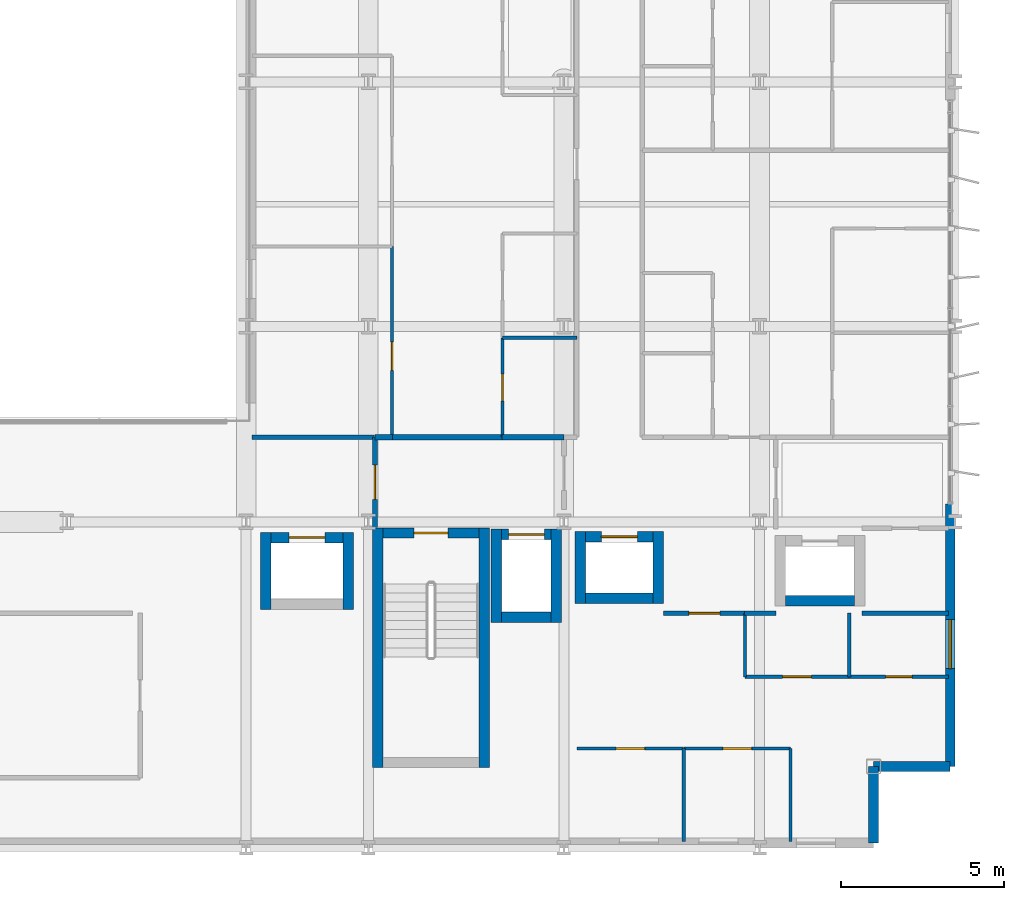
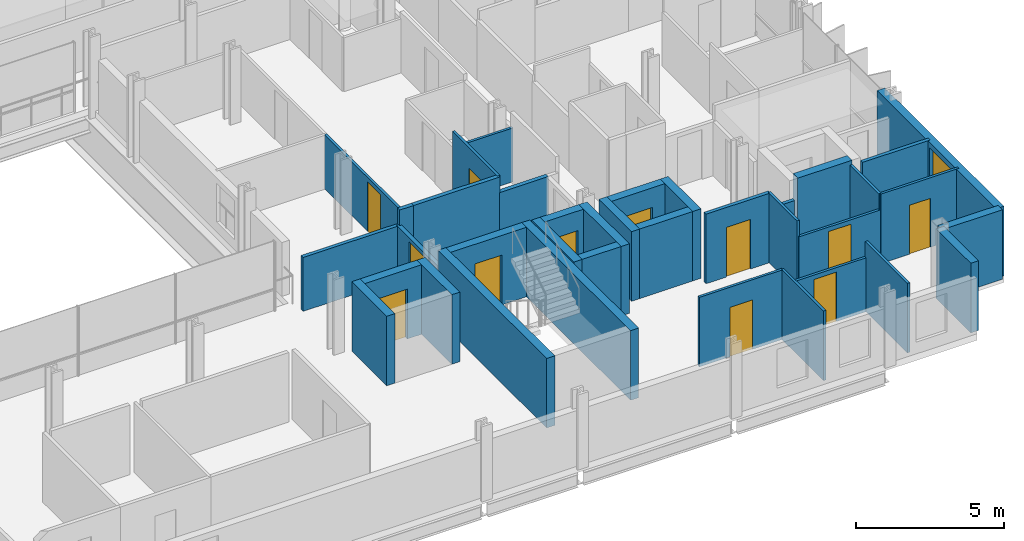
# One storey, part 30 of 38: 37 walls, 12 doors, 1 window, 13 openings.
"""IFC4 building model written with IfcOpenShell, lengths in metres."""

from ifc_helpers import new_model, si_unit, direction, frame, frame_2d, origin, place, context, subcontext, project, spatial, rectangle, extrude, material, layer, layer_set, type_object, element, fill, save


model = new_model("IFC4")

# Units and contexts
model_context = context("Model", 3, precision=1e-05, world=origin(), true_north=direction((0.0, 1.0)))
body_context = subcontext(model_context, "Body", "Model", "MODEL_VIEW")
ifc_project = project(units=[si_unit("LENGTHUNIT", "METRE"), si_unit("AREAUNIT", "SQUARE_METRE"), si_unit("VOLUMEUNIT", "CUBIC_METRE"), si_unit("PLANEANGLEUNIT", "RADIAN"), si_unit("MASSUNIT", "GRAM", prefix="KILO")], contexts=[model_context])

# Site, building, storey
site_placement = place(None, origin())
site = spatial("IfcSite", under=ifc_project, at=site_placement, CompositionType="ELEMENT")
building_placement = place(site_placement, origin())
building = spatial("IfcBuilding", under=site, at=building_placement, Name="Brevholm Reach", CompositionType="ELEMENT")
storey_placement = place(building_placement, frame((0.0, 0.0, 28.0)))
storey = spatial("IfcBuildingStorey", under=building, at=storey_placement, Name="L06", CompositionType="ELEMENT", Elevation=28.0)

# Walls
ifc_material_1 = material(Name="Concrete C60/75", Category="concrete")
ifc_layer_1 = layer(ifc_material_1, 0.320068359375)
ifc_layer_set_1 = layer_set([ifc_layer_1], Name="Concrete C60/75")
wall_type_1 = type_object("IfcWallType", Name="WAL-COR-320", PredefinedType="SHEAR", material=ifc_layer_set_1)
for number, where, z_axis, x_axis, name in (
    (1, (42.2900390625, 2.4599609375, 0.0), (0.0, 0.0, 1.0), (0.0, 1.0, 0.0), "L06 Escape Stair ST-2 Core Wall W"),
    (2, (45.56005859375, 2.4599609375, 0.0), (0.0, 0.0, 1.0), (0.0, 1.0, 0.0), "L06 Escape Stair ST-2 Core Wall E"),
):
    element("IfcWall", number, at=place(storey_placement, frame(where, z_axis=z_axis, x_axis=x_axis)), inside=storey, type_object=wall_type_1, Name=name, PredefinedType="SHEAR", context=body_context, shape_type="SweptSolid", body=[
        extrude(rectangle(XDim=7.360107421875, YDim=0.320068359375, at=frame_2d((3.68017578125, 0.0))), origin(), (0.0, 0.0, 1.0), 2.8701171875),
    ])

# Wall, opening, door
wall_1_placement = place(storey_placement, frame((45.39990234375, 9.659912109375, 0.0), z_axis=(0.0, 0.0, 1.0), x_axis=(-1.0, 0.0, 0.0)))
wall_1 = element("IfcWall", 3, at=wall_1_placement, inside=storey, type_object=wall_type_1, Name="L06 Escape Stair ST-2 Core Wall N", PredefinedType="SHEAR", context=body_context, shape_type="SweptSolid", body=[
    extrude(rectangle(XDim=2.949951171875, YDim=0.320068359375, at=frame_2d((1.47509765625, 0.0))), origin(), (0.0, 0.0, 1.0), 2.8701171875),
])
opening_1_placement = place(wall_1_placement, frame((0.949951171875, 0.0, 0.0)))
opening_1 = element("IfcOpeningElement", 4, at=opening_1_placement, cuts=wall_1, Name="Opening SD-ST-2", PredefinedType="OPENING", context=body_context, shape_type="SweptSolid", body=[
    extrude(rectangle(XDim=1.050048828125, YDim=2.06005859375, at=frame_2d((0.52490234375, 1.030029296875))), frame((0.0, 0.169921875, 0.0), z_axis=(0.0, -1.0, 0.0), x_axis=(1.0, 0.0, 0.0)), (0.0, 0.0, 1.0), 0.340087890625),
])
ifc_material_2 = material(Name="Hardwood-Lipped Steel-Core Fire and Smoke Door", Category="steel")
door_type_1 = type_object("IfcDoorType", Name="DOR-INT-FD60S", OperationType="NOTDEFINED", PredefinedType="DOOR", material=ifc_material_2)
door_1_placement = place(opening_1_placement, origin())
door_1 = element("IfcDoor", 5, at=door_1_placement, inside=storey, type_object=door_type_1, Name="L06 Protected Stair ST-2 Lobby Door", OperationType="SINGLE_SWING_LEFT", OverallHeight=2.06005859375, OverallWidth=1.050048828125, PredefinedType="DOOR", context=body_context, shape_type="SweptSolid", body=[
    extrude(rectangle(XDim=1.050048828125, YDim=2.06005859375, at=frame_2d((0.52490234375, 1.030029296875))), frame((0.0, 0.02490234375, 0.0), z_axis=(0.0, -1.0, 0.0), x_axis=(1.0, 0.0, 0.0)), (0.0, 0.0, 1.0), 0.050048828125),
])
fill(opening_1, door_1)

# Walls
for number, where, z_axis, x_axis, name in (
    (6, (45.929931640625, 6.919921875, 0.0), (0.0, 0.0, 1.0), (0.0, 1.0, 0.0), "L06 Lift FFL-2 Shaft Wall W"),
    (7, (47.77001953125, 6.919921875, 0.0), (0.0, 0.0, 1.0), (0.0, 1.0, 0.0), "L06 Lift FFL-2 Shaft Wall E"),
):
    element("IfcWall", number, at=place(storey_placement, frame(where, z_axis=z_axis, x_axis=x_axis)), inside=storey, type_object=wall_type_1, Name=name, PredefinedType="SHEAR", context=body_context, shape_type="SweptSolid", body=[
        extrude(rectangle(XDim=2.860107421875, YDim=0.320068359375, at=frame_2d((1.43017578125, 0.0))), origin(), (0.0, 0.0, 1.0), 2.8701171875),
    ])
wall_2_placement = place(storey_placement, frame((46.090087890625, 7.080078125, 0.0), z_axis=(0.0, 0.0, 1.0), x_axis=(1.0, 0.0, 0.0)))
element("IfcWall", 8, at=wall_2_placement, inside=storey, type_object=wall_type_1, Name="L06 Lift FFL-2 Shaft Wall S", PredefinedType="SHEAR", context=body_context, shape_type="SweptSolid", body=[
    extrude(rectangle(XDim=1.52001953125, YDim=0.320068359375, at=frame_2d((0.760009765625, 0.0))), origin(), (0.0, 0.0, 1.0), 2.8701171875),
])

# Wall, opening, door
wall_3_placement = place(storey_placement, frame((46.090087890625, 9.6201171875, 0.0), z_axis=(0.0, 0.0, 1.0), x_axis=(1.0, 0.0, 0.0)))
wall_3 = element("IfcWall", 9, at=wall_3_placement, inside=storey, type_object=wall_type_1, Name="L06 Lift FFL-2 Shaft Wall N", PredefinedType="SHEAR", context=body_context, shape_type="SweptSolid", body=[
    extrude(rectangle(XDim=1.52001953125, YDim=0.320068359375, at=frame_2d((0.760009765625, 0.0))), origin(), (0.0, 0.0, 1.0), 2.8701171875),
])
opening_2_placement = place(wall_3_placement, frame((0.2099609375, 0.0, 0.0)))
opening_2 = element("IfcOpeningElement", 10, at=opening_2_placement, cuts=wall_3, Name="Opening LD-FFL-2", PredefinedType="OPENING", context=body_context, shape_type="SweptSolid", body=[
    extrude(rectangle(XDim=1.10009765625, YDim=2.06005859375, at=frame_2d((0.550048828125, 1.030029296875))), frame((0.0, 0.169921875, 0.0), z_axis=(0.0, -1.0, 0.0), x_axis=(1.0, 0.0, 0.0)), (0.0, 0.0, 1.0), 0.340087890625),
])
ifc_material_3 = material(Name="Brushed Stainless Steel Fire-Rated Sliding Lift Door", Category="steel")
door_type_2 = type_object("IfcDoorType", Name="DOR-LFT-1100", OperationType="NOTDEFINED", PredefinedType="DOOR", material=ifc_material_3)
door_2_placement = place(opening_2_placement, origin())
door_2 = element("IfcDoor", 11, at=door_2_placement, inside=storey, type_object=door_type_2, Name="L06 Lift FFL-2 Sliding Landing Door", OperationType="SLIDING_TO_LEFT", OverallHeight=2.06005859375, OverallWidth=1.10009765625, PredefinedType="DOOR", context=body_context, shape_type="SweptSolid", body=[
    extrude(rectangle(XDim=1.10009765625, YDim=2.06005859375, at=frame_2d((0.550048828125, 1.030029296875))), frame((0.0, 0.02490234375, 0.0), z_axis=(0.0, -1.0, 0.0), x_axis=(1.0, 0.0, 0.0)), (0.0, 0.0, 1.0), 0.050048828125),
])
fill(opening_2, door_2)

# Walls
for number, where, z_axis, x_axis, name in (
    (12, (48.5048828125, 7.4951171875, 0.0), (0.0, 0.0, 1.0), (0.0, 1.0, 0.0), "L06 Lift PL-L1 Shaft Wall W"),
    (13, (50.89501953125, 7.4951171875, 0.0), (0.0, 0.0, 1.0), (0.0, 1.0, 0.0), "L06 Lift PL-L1 Shaft Wall E"),
):
    element("IfcWall", number, at=place(storey_placement, frame(where, z_axis=z_axis, x_axis=x_axis)), inside=storey, type_object=wall_type_1, Name=name, PredefinedType="SHEAR", context=body_context, shape_type="SweptSolid", body=[
        extrude(rectangle(XDim=2.2099609375, YDim=0.320068359375, at=frame_2d((1.10498046875, 0.0))), origin(), (0.0, 0.0, 1.0), 2.8701171875),
    ])
wall_4_placement = place(storey_placement, frame((48.6650390625, 7.655029296875, 0.0), z_axis=(0.0, 0.0, 1.0), x_axis=(1.0, 0.0, 0.0)))
element("IfcWall", 14, at=wall_4_placement, inside=storey, type_object=wall_type_1, Name="L06 Lift PL-L1 Shaft Wall S", PredefinedType="SHEAR", context=body_context, shape_type="SweptSolid", body=[
    extrude(rectangle(XDim=2.070068359375, YDim=0.320068359375, at=frame_2d((1.03515625, 0.0))), origin(), (0.0, 0.0, 1.0), 2.8701171875),
])

# Wall, opening, door
wall_5_placement = place(storey_placement, frame((48.6650390625, 9.544921875, 0.0), z_axis=(0.0, 0.0, 1.0), x_axis=(1.0, 0.0, 0.0)))
wall_5 = element("IfcWall", 15, at=wall_5_placement, inside=storey, type_object=wall_type_1, Name="L06 Lift PL-L1 Shaft Wall N", PredefinedType="SHEAR", context=body_context, shape_type="SweptSolid", body=[
    extrude(rectangle(XDim=2.070068359375, YDim=0.320068359375, at=frame_2d((1.03515625, 0.0))), origin(), (0.0, 0.0, 1.0), 2.8701171875),
])
opening_3_placement = place(wall_5_placement, frame((0.485107421875, 0.0, 0.0)))
opening_3 = element("IfcOpeningElement", 16, at=opening_3_placement, cuts=wall_5, Name="Opening LD-PL-L1", PredefinedType="OPENING", context=body_context, shape_type="SweptSolid", body=[
    extrude(rectangle(XDim=1.10009765625, YDim=2.06005859375, at=frame_2d((0.550048828125, 1.030029296875))), frame((0.0, 0.169921875, 0.0), z_axis=(0.0, -1.0, 0.0), x_axis=(1.0, 0.0, 0.0)), (0.0, 0.0, 1.0), 0.340087890625),
])
door_3_placement = place(opening_3_placement, origin())
door_3 = element("IfcDoor", 17, at=door_3_placement, inside=storey, type_object=door_type_2, Name="L06 Lift PL-L1 Sliding Landing Door", OperationType="SLIDING_TO_RIGHT", OverallHeight=2.06005859375, OverallWidth=1.10009765625, PredefinedType="DOOR", context=body_context, shape_type="SweptSolid", body=[
    extrude(rectangle(XDim=1.10009765625, YDim=2.06005859375, at=frame_2d((0.550048828125, 1.030029296875))), frame((0.0, 0.02490234375, 0.0), z_axis=(0.0, -1.0, 0.0), x_axis=(1.0, 0.0, 0.0)), (0.0, 0.0, 1.0), 0.050048828125),
])
fill(opening_3, door_3)

# Walls
wall_6_placement = place(storey_placement, frame((54.7900390625, 7.580078125, 0.0), z_axis=(0.0, 0.0, 1.0), x_axis=(1.0, 0.0, 0.0)))
element("IfcWall", 18, at=wall_6_placement, inside=storey, type_object=wall_type_1, Name="L06 Lift PL-L2 Shaft Wall S", PredefinedType="SHEAR", context=body_context, shape_type="SweptSolid", body=[
    extrude(rectangle(XDim=2.119873046875, YDim=0.320068359375, at=frame_2d((1.06005859375, 0.0))), origin(), (0.0, 0.0, 1.0), 2.8701171875),
])
for number, where, z_axis, x_axis, name in (
    (19, (38.85009765625, 7.320068359375, 0.0), (0.0, 0.0, 1.0), (0.0, 1.0, 0.0), "L06 Lift PL-S1 Shaft Wall W"),
    (20, (41.389892578125, 7.320068359375, 0.0), (0.0, 0.0, 1.0), (0.0, 1.0, 0.0), "L06 Lift PL-S1 Shaft Wall E"),
):
    element("IfcWall", number, at=place(storey_placement, frame(where, z_axis=z_axis, x_axis=x_axis)), inside=storey, type_object=wall_type_1, Name=name, PredefinedType="SHEAR", context=body_context, shape_type="SweptSolid", body=[
        extrude(rectangle(XDim=2.35986328125, YDim=0.320068359375, at=frame_2d((1.179931640625, 0.0))), origin(), (0.0, 0.0, 1.0), 2.8701171875),
    ])

# Wall, opening, door
wall_7_placement = place(storey_placement, frame((39.010009765625, 9.52001953125, 0.0), z_axis=(0.0, 0.0, 1.0), x_axis=(1.0, 0.0, 0.0)))
wall_7 = element("IfcWall", 21, at=wall_7_placement, inside=storey, type_object=wall_type_1, Name="L06 Lift PL-S1 Shaft Wall N", PredefinedType="SHEAR", context=body_context, shape_type="SweptSolid", body=[
    extrude(rectangle(XDim=2.219970703125, YDim=0.320068359375, at=frame_2d((1.10986328125, 0.0))), origin(), (0.0, 0.0, 1.0), 2.8701171875),
])
opening_4_placement = place(wall_7_placement, frame((0.56005859375, 0.0, 0.0)))
opening_4 = element("IfcOpeningElement", 22, at=opening_4_placement, cuts=wall_7, Name="Opening LD-PL-S1", PredefinedType="OPENING", context=body_context, shape_type="SweptSolid", body=[
    extrude(rectangle(XDim=1.10009765625, YDim=2.06005859375, at=frame_2d((0.550048828125, 1.030029296875))), frame((0.0, 0.169921875, 0.0), z_axis=(0.0, -1.0, 0.0), x_axis=(1.0, 0.0, 0.0)), (0.0, 0.0, 1.0), 0.340087890625),
])
door_4_placement = place(opening_4_placement, origin())
door_4 = element("IfcDoor", 23, at=door_4_placement, inside=storey, type_object=door_type_2, Name="L06 Lift PL-S1 Sliding Landing Door", OperationType="SLIDING_TO_RIGHT", OverallHeight=2.06005859375, OverallWidth=1.10009765625, PredefinedType="DOOR", context=body_context, shape_type="SweptSolid", body=[
    extrude(rectangle(XDim=1.10009765625, YDim=2.06005859375, at=frame_2d((0.550048828125, 1.030029296875))), frame((0.0, 0.02490234375, 0.0), z_axis=(0.0, -1.0, 0.0), x_axis=(1.0, 0.0, 0.0)), (0.0, 0.0, 1.0), 0.050048828125),
])
fill(opening_4, door_4)

# Walls
ifc_material_4 = material(Name="Concrete C40/50", Category="concrete")
ifc_layer_2 = layer(ifc_material_4, 0.300048828125)
ifc_layer_set_2 = layer_set([ifc_layer_2], Name="Concrete C40/50")
wall_type_2 = type_object("IfcWallType", Name="WAL-EXT-300", PredefinedType="STANDARD", material=ifc_layer_set_2)
for number, where, z_axis, x_axis, name in (
    (24, (57.5, 0.14990234375, 0.0), (0.0, 0.0, 1.0), (0.0, 1.0, 0.0), "L06 Facade Wall WAL-L06-CSE1"),
    (25, (57.5, 2.5, 0.0), (0.0, 0.0, 1.0), (1.0, 0.0, 0.0), "L06 Facade Wall WAL-L06-CSE2"),
):
    element("IfcWall", number, at=place(storey_placement, frame(where, z_axis=z_axis, x_axis=x_axis)), inside=storey, type_object=wall_type_2, Name=name, PredefinedType="STANDARD", context=body_context, shape_type="SweptSolid", body=[
        extrude(rectangle(XDim=2.35009765625, YDim=0.300048828125, at=frame_2d((1.175048828125, 0.0))), origin(), (0.0, 0.0, 1.0), 2.8701171875),
    ])

# Wall, opening, window
wall_8_placement = place(storey_placement, frame((59.85009765625, 2.5, 0.0), z_axis=(0.0, 0.0, 1.0), x_axis=(0.0, 1.0, 0.0)))
wall_8 = element("IfcWall", 26, at=wall_8_placement, inside=storey, type_object=wall_type_2, Name="L06 Facade Wall WAL-L06-E-S", PredefinedType="STANDARD", context=body_context, shape_type="SweptSolid", body=[
    extrude(rectangle(XDim=8.050048828125, YDim=0.300048828125, at=frame_2d((4.02490234375, 0.0))), origin(), (0.0, 0.0, 1.0), 2.8701171875),
])
opening_5_placement = place(wall_8_placement, frame((3.0, 0.0, 0.85009765625)))
opening_5 = element("IfcOpeningElement", 27, at=opening_5_placement, cuts=wall_8, Name="Opening WN-05", PredefinedType="OPENING", context=body_context, shape_type="SweptSolid", body=[
    extrude(rectangle(XDim=1.5, YDim=1.800048828125, at=frame_2d((0.75, 0.89990234375))), frame((0.0, 0.159912109375, 0.0), z_axis=(0.0, -1.0, 0.0), x_axis=(1.0, 0.0, 0.0)), (0.0, 0.0, 1.0), 0.320068359375),
])
ifc_material_5 = material(Name="Dark Anodised Aluminium and Solar-Control IGU Glass", Category="aluminium")
window_type = type_object("IfcWindowType", Name="WIN-RES-1500", PartitioningType="SINGLE_PANEL", PredefinedType="WINDOW", material=ifc_material_5)
window_placement = place(opening_5_placement, origin())
window = element("IfcWindow", 28, at=window_placement, inside=storey, type_object=window_type, Name="L06 Window WIN-L06-ES-1", OverallHeight=1.800048828125, OverallWidth=1.5, PartitioningType="SINGLE_PANEL", PredefinedType="WINDOW", context=body_context, shape_type="SweptSolid", body=[
    extrude(rectangle(XDim=1.5, YDim=1.800048828125, at=frame_2d((0.75, 0.89990234375))), frame((0.0, 0.030029296875, 0.0), z_axis=(0.0, -1.0, 0.0), x_axis=(1.0, 0.0, 0.0)), (0.0, 0.0, 1.0), 0.06005859375),
])
fill(opening_5, window)

# Wall
ifc_material_6 = material(Name="Moisture-Resistant Acoustic Gypsum Stud Partition 100 mm", Category="gypsum")
ifc_layer_3 = layer(ifc_material_6, 0.10009765625)
ifc_layer_set_3 = layer_set([ifc_layer_3], Name="Moisture-Resistant Acoustic Gypsum Stud Partition 100 mm")
wall_type_3 = type_object("IfcWallType", Name="WAL-PRT-100", PredefinedType="PARTITIONING", material=ifc_layer_set_3)
wall_9_placement = place(storey_placement, frame((56.75, 5.25, 0.0), z_axis=(0.0, 0.0, 1.0), x_axis=(0.0, 1.0, 0.0)))
element("IfcWall", 29, at=wall_9_placement, inside=storey, type_object=wall_type_3, Name="L06 Internal Partition 083", PredefinedType="PARTITIONING", context=body_context, shape_type="SweptSolid", body=[
    extrude(rectangle(XDim=1.949951171875, YDim=0.10009765625, at=frame_2d((0.97509765625, 0.0))), origin(), (0.0, 0.0, 1.0), 2.8701171875),
])

# Wall, opening, door
wall_10_placement = place(storey_placement, frame((56.75, 5.25, 0.0), z_axis=(0.0, 0.0, 1.0), x_axis=(1.0, 0.0, 0.0)))
wall_10 = element("IfcWall", 30, at=wall_10_placement, inside=storey, type_object=wall_type_3, Name="L06 Internal Partition 084", PredefinedType="PARTITIONING", context=body_context, shape_type="SweptSolid", body=[
    extrude(rectangle(XDim=3.050048828125, YDim=0.10009765625, at=frame_2d((1.52490234375, 0.0))), origin(), (0.0, 0.0, 1.0), 2.8701171875),
])
opening_6_placement = place(wall_10_placement, frame((1.114990234375, 0.0, 0.0)))
opening_6 = element("IfcOpeningElement", 31, at=opening_6_placement, cuts=wall_10, Name="Opening ID-03", PredefinedType="OPENING", context=body_context, shape_type="SweptSolid", body=[
    extrude(rectangle(XDim=0.820068359375, YDim=2.02001953125, at=frame_2d((0.41015625, 1.010009765625))), frame((0.0, 0.06005859375, 0.0), z_axis=(0.0, -1.0, 0.0), x_axis=(1.0, 0.0, 0.0)), (0.0, 0.0, 1.0), 0.1201171875),
])
ifc_material_7 = material(Name="Moisture-Resistant Painted Timber Internal Bathroom Door", Category="wood")
door_type_3 = type_object("IfcDoorType", Name="DOR-BATH-820", OperationType="NOTDEFINED", PredefinedType="DOOR", material=ifc_material_7)
door_5_placement = place(opening_6_placement, origin())
door_5 = element("IfcDoor", 32, at=door_5_placement, inside=storey, type_object=door_type_3, Name="L06 Internal Door 028", OperationType="SINGLE_SWING_LEFT", OverallHeight=2.02001953125, OverallWidth=0.820068359375, PredefinedType="DOOR", context=body_context, shape_type="SweptSolid", body=[
    extrude(rectangle(XDim=0.820068359375, YDim=2.02001953125, at=frame_2d((0.41015625, 1.010009765625))), frame((0.0, 0.02490234375, 0.0), z_axis=(0.0, -1.0, 0.0), x_axis=(1.0, 0.0, 0.0)), (0.0, 0.0, 1.0), 0.050048828125),
])
fill(opening_6, door_5)

wall_11_placement = place(storey_placement, frame((53.55810546875, 5.25, 0.0), z_axis=(0.0, 0.0, 1.0), x_axis=(1.0, 0.0, 0.0)))
wall_11 = element("IfcWall", 33, at=wall_11_placement, inside=storey, type_object=wall_type_3, Name="L06 Internal Partition 085", PredefinedType="PARTITIONING", context=body_context, shape_type="SweptSolid", body=[
    extrude(rectangle(XDim=3.18798828125, YDim=0.10009765625, at=frame_2d((1.593994140625, 0.0))), origin(), (0.0, 0.0, 1.0), 2.224853515625),
])
opening_7_placement = place(wall_11_placement, frame((1.154052734375, 0.0, 0.0)))
opening_7 = element("IfcOpeningElement", 34, at=opening_7_placement, cuts=wall_11, Name="Opening ID-01", PredefinedType="OPENING", context=body_context, shape_type="SweptSolid", body=[
    extrude(rectangle(XDim=0.8798828125, YDim=2.0400390625, at=frame_2d((0.43994140625, 1.02001953125))), frame((0.0, 0.06005859375, 0.0), z_axis=(0.0, -1.0, 0.0), x_axis=(1.0, 0.0, 0.0)), (0.0, 0.0, 1.0), 0.1201171875),
])
ifc_material_8 = material(Name="Lacquered Ash Solid-Core Acoustic Internal Door", Category="timber")
door_type_4 = type_object("IfcDoorType", Name="DOR-INT-880", OperationType="NOTDEFINED", PredefinedType="DOOR", material=ifc_material_8)
door_6_placement = place(opening_7_placement, origin())
door_6 = element("IfcDoor", 35, at=door_6_placement, inside=storey, type_object=door_type_4, Name="L06 Internal Door 029", OperationType="SINGLE_SWING_RIGHT", OverallHeight=2.0400390625, OverallWidth=0.8798828125, PredefinedType="DOOR", context=body_context, shape_type="SweptSolid", body=[
    extrude(rectangle(XDim=0.8798828125, YDim=2.0400390625, at=frame_2d((0.43994140625, 1.02001953125))), frame((0.0, 0.02490234375, 0.0), z_axis=(0.0, -1.0, 0.0), x_axis=(1.0, 0.0, 0.0)), (0.0, 0.0, 1.0), 0.050048828125),
])
fill(opening_7, door_6)

# Walls
wall_12_placement = place(storey_placement, frame((53.55810546875, 5.25, 0.0), z_axis=(0.0, 0.0, 1.0), x_axis=(0.0, 1.0, 0.0)))
element("IfcWall", 36, at=wall_12_placement, inside=storey, type_object=wall_type_3, Name="L06 Internal Partition 086", PredefinedType="PARTITIONING", context=body_context, shape_type="SweptSolid", body=[
    extrude(rectangle(XDim=1.946044921875, YDim=0.10009765625, at=frame_2d((0.97314453125, 0.0))), origin(), (0.0, 0.0, 1.0), 2.8701171875),
])
wall_13_placement = place(storey_placement, frame((51.675048828125, 0.199951171875, 0.0), z_axis=(0.0, 0.0, 1.0), x_axis=(0.0, 1.0, 0.0)))
element("IfcWall", 37, at=wall_13_placement, inside=storey, type_object=wall_type_3, Name="L06 Internal Partition 087", PredefinedType="PARTITIONING", context=body_context, shape_type="SweptSolid", body=[
    extrude(rectangle(XDim=2.85009765625, YDim=0.10009765625, at=frame_2d((1.425048828125, 0.0))), origin(), (0.0, 0.0, 1.0), 2.8701171875),
])

# Wall, opening, door
wall_14_placement = place(storey_placement, frame((48.39990234375, 3.050048828125, 0.0), z_axis=(0.0, 0.0, 1.0), x_axis=(1.0, 0.0, 0.0)))
wall_14 = element("IfcWall", 38, at=wall_14_placement, inside=storey, type_object=wall_type_3, Name="L06 Internal Partition 088", PredefinedType="PARTITIONING", context=body_context, shape_type="SweptSolid", body=[
    extrude(rectangle(XDim=3.275146484375, YDim=0.10009765625, at=frame_2d((1.6376953125, 0.0))), origin(), (0.0, 0.0, 1.0), 2.8701171875),
])
opening_8_placement = place(wall_14_placement, frame((1.197509765625, 0.0, 0.0)))
opening_8 = element("IfcOpeningElement", 39, at=opening_8_placement, cuts=wall_14, Name="Opening ID-01", PredefinedType="OPENING", context=body_context, shape_type="SweptSolid", body=[
    extrude(rectangle(XDim=0.8798828125, YDim=2.0400390625, at=frame_2d((0.43994140625, 1.02001953125))), frame((0.0, 0.06005859375, 0.0), z_axis=(0.0, -1.0, 0.0), x_axis=(1.0, 0.0, 0.0)), (0.0, 0.0, 1.0), 0.1201171875),
])
door_7_placement = place(opening_8_placement, origin())
door_7 = element("IfcDoor", 40, at=door_7_placement, inside=storey, type_object=door_type_4, Name="L06 Internal Door 030", OperationType="SINGLE_SWING_LEFT", OverallHeight=2.0400390625, OverallWidth=0.8798828125, PredefinedType="DOOR", context=body_context, shape_type="SweptSolid", body=[
    extrude(rectangle(XDim=0.8798828125, YDim=2.0400390625, at=frame_2d((0.43994140625, 1.02001953125))), frame((0.0, 0.02490234375, 0.0), z_axis=(0.0, -1.0, 0.0), x_axis=(1.0, 0.0, 0.0)), (0.0, 0.0, 1.0), 0.050048828125),
])
fill(opening_8, door_7)

# Wall
wall_15_placement = place(storey_placement, frame((54.949951171875, 0.199951171875, 0.0), z_axis=(0.0, 0.0, 1.0), x_axis=(0.0, 1.0, 0.0)))
element("IfcWall", 41, at=wall_15_placement, inside=storey, type_object=wall_type_3, Name="L06 Internal Partition 089", PredefinedType="PARTITIONING", context=body_context, shape_type="SweptSolid", body=[
    extrude(rectangle(XDim=2.85009765625, YDim=0.10009765625, at=frame_2d((1.425048828125, 0.0))), origin(), (0.0, 0.0, 1.0), 2.8701171875),
])

# Wall, opening, door
wall_16_placement = place(storey_placement, frame((51.678955078125, 3.050048828125, 0.0), z_axis=(0.0, 0.0, 1.0), x_axis=(1.0, 0.0, 0.0)))
wall_16 = element("IfcWall", 42, at=wall_16_placement, inside=storey, type_object=wall_type_3, Name="L06 Internal Partition 090", PredefinedType="PARTITIONING", context=body_context, shape_type="SweptSolid", body=[
    extrude(rectangle(XDim=3.27099609375, YDim=0.10009765625, at=frame_2d((1.635498046875, 0.0))), origin(), (0.0, 0.0, 1.0), 2.224853515625),
])
opening_9_placement = place(wall_16_placement, frame((1.195556640625, 0.0, 0.0)))
opening_9 = element("IfcOpeningElement", 43, at=opening_9_placement, cuts=wall_16, Name="Opening ID-01", PredefinedType="OPENING", context=body_context, shape_type="SweptSolid", body=[
    extrude(rectangle(XDim=0.8798828125, YDim=2.0400390625, at=frame_2d((0.43994140625, 1.02001953125))), frame((0.0, 0.06005859375, 0.0), z_axis=(0.0, -1.0, 0.0), x_axis=(1.0, 0.0, 0.0)), (0.0, 0.0, 1.0), 0.1201171875),
])
door_8_placement = place(opening_9_placement, origin())
door_8 = element("IfcDoor", 44, at=door_8_placement, inside=storey, type_object=door_type_4, Name="L06 Internal Door 031", OperationType="SINGLE_SWING_RIGHT", OverallHeight=2.0400390625, OverallWidth=0.8798828125, PredefinedType="DOOR", context=body_context, shape_type="SweptSolid", body=[
    extrude(rectangle(XDim=0.8798828125, YDim=2.0400390625, at=frame_2d((0.43994140625, 1.02001953125))), frame((0.0, 0.02490234375, 0.0), z_axis=(0.0, -1.0, 0.0), x_axis=(1.0, 0.0, 0.0)), (0.0, 0.0, 1.0), 0.050048828125),
])
fill(opening_9, door_8)

# Wall
wall_17_placement = place(storey_placement, frame((46.112060546875, 15.64990234375, 0.0), z_axis=(0.0, 0.0, 1.0), x_axis=(1.0, 0.0, 0.0)))
element("IfcWall", 45, at=wall_17_placement, inside=storey, type_object=wall_type_3, Name="L06 Internal Partition 118", PredefinedType="PARTITIONING", context=body_context, shape_type="SweptSolid", body=[
    extrude(rectangle(XDim=2.283935546875, YDim=0.10009765625, at=frame_2d((1.14208984375, 0.0))), origin(), (0.0, 0.0, 1.0), 2.224853515625),
])

# Wall, opening, door
wall_18_placement = place(storey_placement, frame((46.112060546875, 12.60400390625, 0.0), z_axis=(0.0, 0.0, 1.0), x_axis=(0.0, 1.0, 0.0)))
wall_18 = element("IfcWall", 46, at=wall_18_placement, inside=storey, type_object=wall_type_3, Name="L06 Internal Partition 119", PredefinedType="PARTITIONING", context=body_context, shape_type="SweptSolid", body=[
    extrude(rectangle(XDim=3.0458984375, YDim=0.10009765625, at=frame_2d((1.52294921875, 0.0))), origin(), (0.0, 0.0, 1.0), 2.8701171875),
])
opening_10_placement = place(wall_18_placement, frame((1.113037109375, 0.0, 0.0)))
opening_10 = element("IfcOpeningElement", 47, at=opening_10_placement, cuts=wall_18, Name="Opening ID-03", PredefinedType="OPENING", context=body_context, shape_type="SweptSolid", body=[
    extrude(rectangle(XDim=0.820068359375, YDim=2.02001953125, at=frame_2d((0.41015625, 1.010009765625))), frame((0.0, 0.06005859375, 0.0), z_axis=(0.0, -1.0, 0.0), x_axis=(1.0, 0.0, 0.0)), (0.0, 0.0, 1.0), 0.1201171875),
])
door_9_placement = place(opening_10_placement, origin())
door_9 = element("IfcDoor", 48, at=door_9_placement, inside=storey, type_object=door_type_3, Name="L06 Internal Door 044", OperationType="SINGLE_SWING_LEFT", OverallHeight=2.02001953125, OverallWidth=0.820068359375, PredefinedType="DOOR", context=body_context, shape_type="SweptSolid", body=[
    extrude(rectangle(XDim=0.820068359375, YDim=2.02001953125, at=frame_2d((0.41015625, 1.010009765625))), frame((0.0, 0.02490234375, 0.0), z_axis=(0.0, -1.0, 0.0), x_axis=(1.0, 0.0, 0.0)), (0.0, 0.0, 1.0), 0.050048828125),
])
fill(opening_10, door_9)

wall_19_placement = place(storey_placement, frame((42.72802734375, 12.60400390625, 0.0), z_axis=(0.0, 0.0, 1.0), x_axis=(0.0, 1.0, 0.0)))
wall_19 = element("IfcWall", 49, at=wall_19_placement, inside=storey, type_object=wall_type_3, Name="L06 Internal Partition 125", PredefinedType="PARTITIONING", context=body_context, shape_type="SweptSolid", body=[
    extrude(rectangle(XDim=5.845947265625, YDim=0.10009765625, at=frame_2d((2.9228515625, 0.0))), origin(), (0.0, 0.0, 1.0), 2.224853515625),
])
opening_11_placement = place(wall_19_placement, frame((2.04296875, 0.0, 0.0)))
opening_11 = element("IfcOpeningElement", 50, at=opening_11_placement, cuts=wall_19, Name="Opening ID-01", PredefinedType="OPENING", context=body_context, shape_type="SweptSolid", body=[
    extrude(rectangle(XDim=0.8798828125, YDim=2.0400390625, at=frame_2d((0.43994140625, 1.02001953125))), frame((0.0, 0.06005859375, 0.0), z_axis=(0.0, -1.0, 0.0), x_axis=(1.0, 0.0, 0.0)), (0.0, 0.0, 1.0), 0.1201171875),
])
door_10_placement = place(opening_11_placement, origin())
door_10 = element("IfcDoor", 51, at=door_10_placement, inside=storey, type_object=door_type_4, Name="L06 Internal Door 047", OperationType="SINGLE_SWING_RIGHT", OverallHeight=2.0400390625, OverallWidth=0.8798828125, PredefinedType="DOOR", context=body_context, shape_type="SweptSolid", body=[
    extrude(rectangle(XDim=0.8798828125, YDim=2.0400390625, at=frame_2d((0.43994140625, 1.02001953125))), frame((0.0, 0.02490234375, 0.0), z_axis=(0.0, -1.0, 0.0), x_axis=(1.0, 0.0, 0.0)), (0.0, 0.0, 1.0), 0.050048828125),
])
fill(opening_11, door_10)

# Wall
ifc_material_9 = material(Name="Twin-Stud Acoustic Fire-Rated Gypsum Partition 140 mm", Category="gypsum")
ifc_layer_4 = layer(ifc_material_9, 0.139892578125)
ifc_layer_set_4 = layer_set([ifc_layer_4], Name="Twin-Stud Acoustic Fire-Rated Gypsum Partition 140 mm")
wall_type_4 = type_object("IfcWallType", Name="WAL-PRT-140", PredefinedType="PARTITIONING", material=ifc_layer_set_4)
wall_20_placement = place(storey_placement, frame((53.546630859375, 7.199951171875, 0.0), z_axis=(0.0, 0.0, 1.0), x_axis=(1.0, 0.0, 0.0)))
element("IfcWall", 52, at=wall_20_placement, inside=storey, type_object=wall_type_4, Name="L06 Internal Partition 014", PredefinedType="PARTITIONING", context=body_context, shape_type="SweptSolid", body=[
    extrude(rectangle(XDim=0.953369140625, YDim=0.139892578125, at=frame_2d((0.4765625, 0.0))), origin(), (0.0, 0.0, 1.0), 2.224853515625),
])

# Wall, opening, door
wall_21_placement = place(storey_placement, frame((51.050048828125, 7.199951171875, 0.0), z_axis=(0.0, 0.0, 1.0), x_axis=(1.0, 0.0, 0.0)))
wall_21 = element("IfcWall", 53, at=wall_21_placement, inside=storey, type_object=wall_type_4, Name="L06 Internal Partition 015", PredefinedType="PARTITIONING", context=body_context, shape_type="SweptSolid", body=[
    extrude(rectangle(XDim=2.51513671875, YDim=0.139892578125, at=frame_2d((1.257568359375, 0.0))), origin(), (0.0, 0.0, 1.0), 2.8701171875),
])
opening_12_placement = place(wall_21_placement, frame((0.78271484375, 0.0, 0.0)))
opening_12 = element("IfcOpeningElement", 54, at=opening_12_placement, cuts=wall_21, Name="Opening ID-30", PredefinedType="OPENING", context=body_context, shape_type="SweptSolid", body=[
    extrude(rectangle(XDim=0.949951171875, YDim=2.050048828125, at=frame_2d((0.47509765625, 1.02490234375))), frame((0.0, 0.079833984375, 0.0), z_axis=(0.0, -1.0, 0.0), x_axis=(1.0, 0.0, 0.0)), (0.0, 0.0, 1.0), 0.159912109375),
])
ifc_material_10 = material(Name="European Oak Veneered Solid-Core Fire Entrance Door", Category="timber")
door_type_5 = type_object("IfcDoorType", Name="DOR-FLT-FD30S", OperationType="NOTDEFINED", PredefinedType="DOOR", material=ifc_material_10)
door_11_placement = place(opening_12_placement, origin())
door_11 = element("IfcDoor", 55, at=door_11_placement, inside=storey, type_object=door_type_5, Name="L06 Internal Door 009", OperationType="SINGLE_SWING_RIGHT", OverallHeight=2.050048828125, OverallWidth=0.949951171875, PredefinedType="DOOR", context=body_context, shape_type="SweptSolid", body=[
    extrude(rectangle(XDim=0.949951171875, YDim=2.050048828125, at=frame_2d((0.47509765625, 1.02490234375))), frame((0.0, 0.02490234375, 0.0), z_axis=(0.0, -1.0, 0.0), x_axis=(1.0, 0.0, 0.0)), (0.0, 0.0, 1.0), 0.050048828125),
])
fill(opening_12, door_11)

# Walls
wall_22_placement = place(storey_placement, frame((38.438720703125, 12.60009765625, 0.0), z_axis=(0.0, 0.0, 1.0), x_axis=(1.0, 0.0, 0.0)))
element("IfcWall", 56, at=wall_22_placement, inside=storey, type_object=wall_type_4, Name="L06 Internal Partition 035", PredefinedType="PARTITIONING", context=body_context, shape_type="SweptSolid", body=[
    extrude(rectangle(XDim=3.75732421875, YDim=0.139892578125, at=frame_2d((1.878662109375, 0.0))), origin(), (0.0, 0.0, 1.0), 2.224853515625),
])
wall_23_placement = place(storey_placement, frame((57.14990234375, 7.199951171875, 0.0), z_axis=(0.0, 0.0, 1.0), x_axis=(1.0, 0.0, 0.0)))
element("IfcWall", 57, at=wall_23_placement, inside=storey, type_object=wall_type_4, Name="L06 Internal Partition 082", PredefinedType="PARTITIONING", context=body_context, shape_type="SweptSolid", body=[
    extrude(rectangle(XDim=2.650146484375, YDim=0.139892578125, at=frame_2d((1.3251953125, 0.0))), origin(), (0.0, 0.0, 1.0), 2.8701171875),
])

# Wall, opening, door
ifc_material_11 = material(Name="Twin-Frame Fire-Rated Gypsum Board and Mineral Wool 160 mm", Category="gypsum")
ifc_layer_5 = layer(ifc_material_11, 0.159912109375)
ifc_layer_set_5 = layer_set([ifc_layer_5], Name="Twin-Frame Fire-Rated Gypsum Board and Mineral Wool 160 mm")
wall_type_5 = type_object("IfcWallType", Name="WAL-PRT-160", PredefinedType="PARTITIONING", material=ifc_layer_set_5)
wall_24_placement = place(storey_placement, frame((42.199951171875, 9.830078125, 0.0), z_axis=(0.0, 0.0, 1.0), x_axis=(0.0, 1.0, 0.0)))
wall_24 = element("IfcWall", 58, at=wall_24_placement, inside=storey, type_object=wall_type_5, Name="L06 Internal Partition 024", PredefinedType="PARTITIONING", context=body_context, shape_type="SweptSolid", body=[
    extrude(rectangle(XDim=2.77001953125, YDim=0.159912109375, at=frame_2d((1.385009765625, 0.0))), origin(), (0.0, 0.0, 1.0), 2.224853515625),
])
opening_13_placement = place(wall_24_placement, frame((0.860107421875, 0.0, 0.0)))
opening_13 = element("IfcOpeningElement", 59, at=opening_13_placement, cuts=wall_24, Name="Opening FD-01", PredefinedType="OPENING", context=body_context, shape_type="SweptSolid", body=[
    extrude(rectangle(XDim=1.050048828125, YDim=2.06005859375, at=frame_2d((0.52490234375, 1.030029296875))), frame((0.0, 0.08984375, 0.0), z_axis=(0.0, -1.0, 0.0), x_axis=(1.0, 0.0, 0.0)), (0.0, 0.0, 1.0), 0.179931640625),
])
door_12_placement = place(opening_13_placement, origin())
door_12 = element("IfcDoor", 60, at=door_12_placement, inside=storey, type_object=door_type_1, Name="L06 Internal Door 013", OperationType="SINGLE_SWING_RIGHT", OverallHeight=2.06005859375, OverallWidth=1.050048828125, PredefinedType="DOOR", context=body_context, shape_type="SweptSolid", body=[
    extrude(rectangle(XDim=1.050048828125, YDim=2.06005859375, at=frame_2d((0.52490234375, 1.030029296875))), frame((0.0, 0.02490234375, 0.0), z_axis=(0.0, -1.0, 0.0), x_axis=(1.0, 0.0, 0.0)), (0.0, 0.0, 1.0), 0.050048828125),
])
fill(opening_13, door_12)

# Walls
wall_25_placement = place(storey_placement, frame((46.1005859375, 12.60009765625, 0.0), z_axis=(0.0, 0.0, 1.0), x_axis=(1.0, 0.0, 0.0)))
element("IfcWall", 61, at=wall_25_placement, inside=storey, type_object=wall_type_5, Name="L06 Internal Partition 026", PredefinedType="PARTITIONING", context=body_context, shape_type="SweptSolid", body=[
    extrude(rectangle(XDim=1.8994140625, YDim=0.159912109375, at=frame_2d((0.94970703125, 0.0))), origin(), (0.0, 0.0, 1.0), 2.224853515625),
])
wall_26_placement = place(storey_placement, frame((42.199951171875, 12.60009765625, 0.0), z_axis=(0.0, 0.0, 1.0), x_axis=(1.0, 0.0, 0.0)))
element("IfcWall", 62, at=wall_26_placement, inside=storey, type_object=wall_type_5, Name="L06 Internal Partition 027", PredefinedType="PARTITIONING", context=body_context, shape_type="SweptSolid", body=[
    extrude(rectangle(XDim=0.539306640625, YDim=0.159912109375, at=frame_2d((0.26953125, 0.0))), origin(), (0.0, 0.0, 1.0), 2.8701171875),
])
wall_27_placement = place(storey_placement, frame((42.720703125, 12.60009765625, 0.0), z_axis=(0.0, 0.0, 1.0), x_axis=(1.0, 0.0, 0.0)))
element("IfcWall", 63, at=wall_27_placement, inside=storey, type_object=wall_type_5, Name="L06 Internal Partition 028", PredefinedType="PARTITIONING", context=body_context, shape_type="SweptSolid", body=[
    extrude(rectangle(XDim=3.398681640625, YDim=0.159912109375, at=frame_2d((1.69921875, 0.0))), origin(), (0.0, 0.0, 1.0), 2.8701171875),
])

save(model, "model.ifc")
